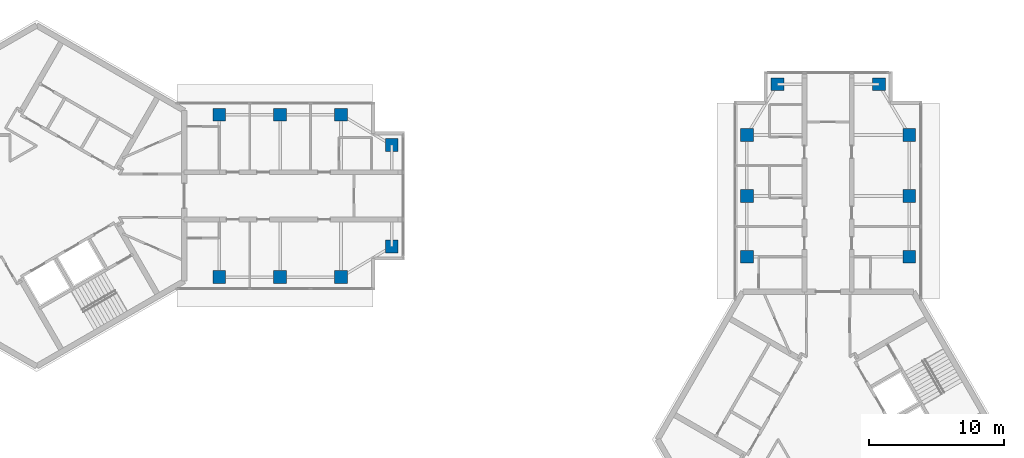
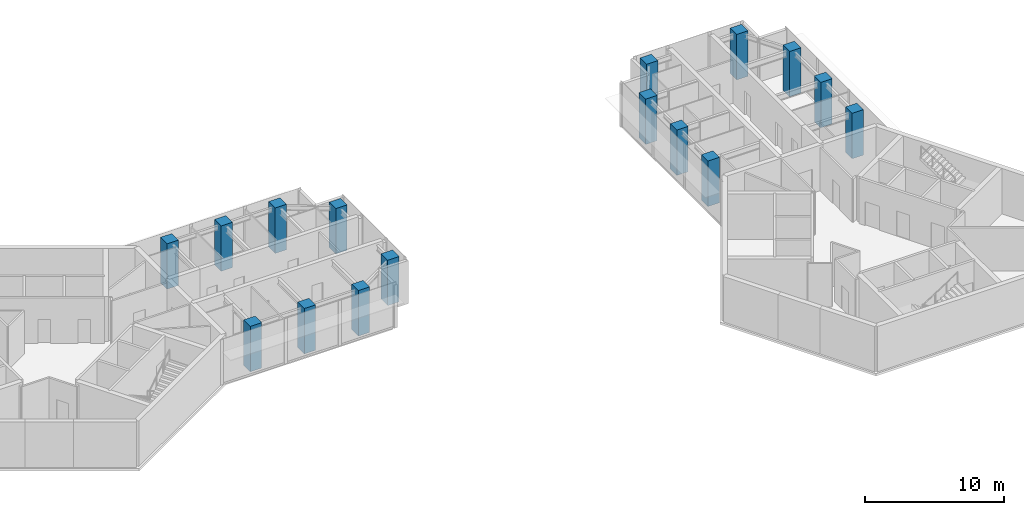
# One storey, part 1 of 11: 16 columns.
"""IFC4 building model written with IfcOpenShell, lengths in metres."""

from ifc_helpers import new_model, si_unit, direction, frame, origin, origin_2d, place, context, subcontext, project, spatial, rectangle, extrude, material, material_profile, profile_set, type_object, element, save


model = new_model("IFC4")

# Units and contexts
model_context = context("Model", 3, precision=1e-05, world=origin(), true_north=direction((0.0, 1.0)))
body_context = subcontext(model_context, "Body", "Model", "MODEL_VIEW")
ifc_project = project(units=[si_unit("LENGTHUNIT", "METRE"), si_unit("AREAUNIT", "SQUARE_METRE"), si_unit("VOLUMEUNIT", "CUBIC_METRE"), si_unit("PLANEANGLEUNIT", "RADIAN"), si_unit("MASSUNIT", "GRAM", prefix="KILO")], contexts=[model_context])

# Site, building, storey
site_placement = place(None, origin())
site = spatial("IfcSite", under=ifc_project, at=site_placement, CompositionType="ELEMENT")
building_placement = place(site_placement, origin())
building = spatial("IfcBuilding", under=site, at=building_placement, Name="Upepo Twin Towers", CompositionType="ELEMENT")
storey_placement = place(building_placement, frame((0.0, 0.0, 267.5)))
storey = spatial("IfcBuildingStorey", under=building, at=storey_placement, Name="L65", CompositionType="ELEMENT", Elevation=267.5)

# Columns
ifc_material = material(Name="Concrete C60/75", Category="concrete")
ifc_material_profile = material_profile(ifc_material, rectangle(XDim=0.949951171875, YDim=0.949951171875, at=origin_2d()), Name="RC 950x950")
ifc_profile_set = profile_set([ifc_material_profile], Name="Concrete C60/75")
column_type = type_object("IfcColumnType", Name="Tower column RC 950x950", PredefinedType="COLUMN", material=ifc_profile_set)
for number, where, z_axis, x_axis, name in (
    (1, (13.5, 6.0, 0.0), (0.0, 0.0, 1.0), (1.0, 0.0, 0.0), "T1 column AL135"),
    (2, (13.5, -6.0, 0.0), (0.0, 0.0, 1.0), (1.0, 0.0, 0.0), "T1 column AR135"),
    (3, (18.0, 6.0, 0.0), (0.0, 0.0, 1.0), (1.0, 0.0, 0.0), "T1 column AL180"),
    (4, (18.0, -6.0, 0.0), (0.0, 0.0, 1.0), (1.0, 0.0, 0.0), "T1 column AR180"),
    (5, (22.5, 6.0, 0.0), (0.0, 0.0, 1.0), (1.0, 0.0, 0.0), "T1 column AL225"),
    (6, (22.5, -6.0, 0.0), (0.0, 0.0, 1.0), (1.0, 0.0, 0.0), "T1 column AR225"),
    (7, (26.25, 3.75, 0.0), (0.0, 0.0, 1.0), (1.0, 0.0, 0.0), "T1 column ALN"),
    (8, (26.25, -3.75, 0.0), (0.0, 0.0, 1.0), (1.0, 0.0, 0.0), "T1 column ARN"),
    (9, (52.5, -4.5, 0.0), (0.0, 0.0, 1.0), (1.0, 0.0, 0.0), "T2 column AL135"),
    (10, (64.5, -4.5, 0.0), (0.0, 0.0, 1.0), (1.0, 0.0, 0.0), "T2 column AR135"),
    (11, (52.5, 0.0, 0.0), (0.0, 0.0, 1.0), (1.0, 0.0, 0.0), "T2 column AL180"),
    (12, (64.5, 0.0, 0.0), (0.0, 0.0, 1.0), (1.0, 0.0, 0.0), "T2 column AR180"),
    (13, (52.5, 4.5, 0.0), (0.0, 0.0, 1.0), (1.0, 0.0, 0.0), "T2 column AL225"),
    (14, (64.5, 4.5, 0.0), (0.0, 0.0, 1.0), (1.0, 0.0, 0.0), "T2 column AR225"),
    (15, (54.75, 8.25, 0.0), (0.0, 0.0, 1.0), (1.0, 0.0, 0.0), "T2 column ALN"),
    (16, (62.25, 8.25, 0.0), (0.0, 0.0, 1.0), (1.0, 0.0, 0.0), "T2 column ARN"),
):
    element("IfcColumn", number, at=place(storey_placement, frame(where, z_axis=z_axis, x_axis=x_axis)), inside=storey, type_object=column_type, Name=name, PredefinedType="COLUMN", context=body_context, shape_type="SweptSolid", body=[
        extrude(rectangle(XDim=0.949951171875, YDim=0.949951171875, at=origin_2d()), origin(), (0.0, 0.0, 1.0), 4.0),
    ])

save(model, "model.ifc")
